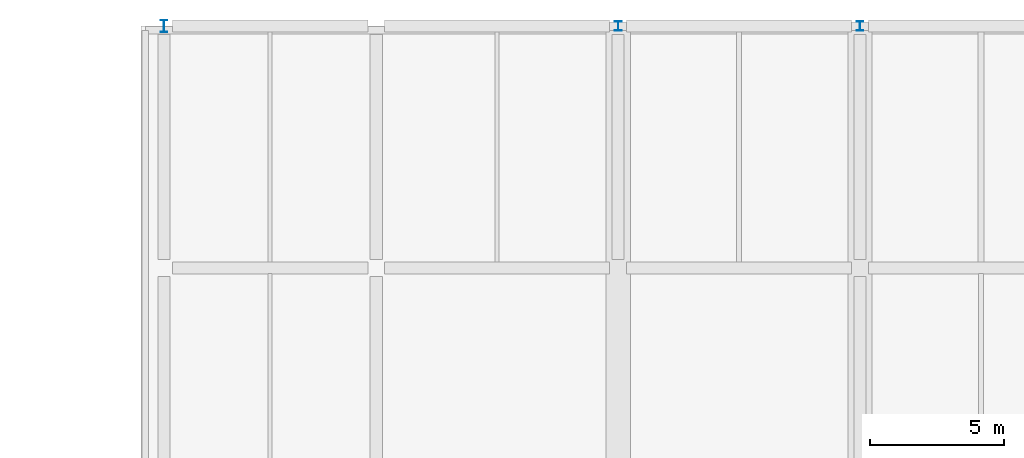
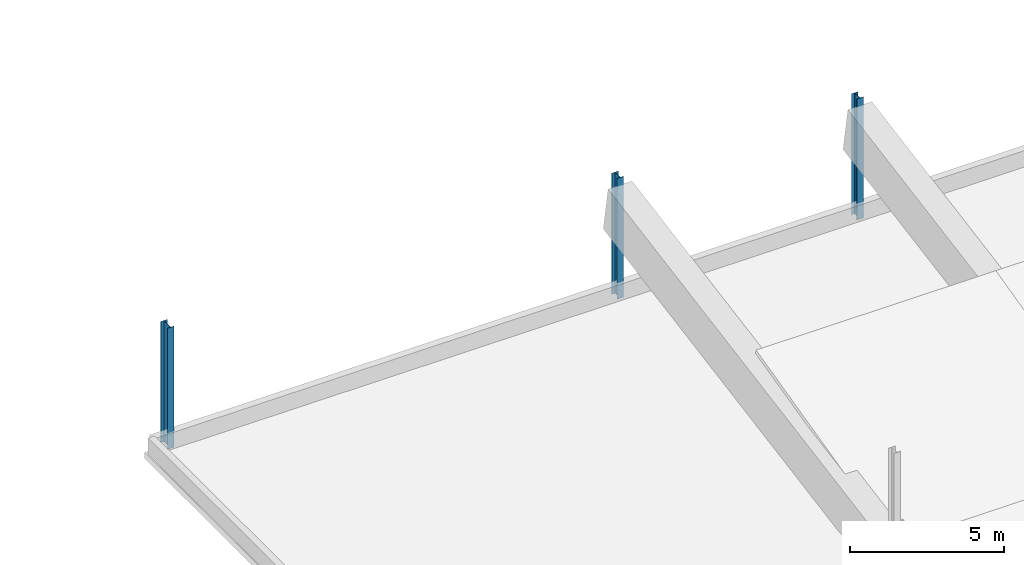
# One storey, part 16 of 66: 3 columns.
"""IFC4 building model written with IfcOpenShell, lengths in metres."""

from ifc_helpers import new_model, si_unit, direction, frame, origin, origin_2d, place, context, subcontext, project, spatial, i_section, extrude, material, material_profile, profile_set, type_object, element, save


model = new_model("IFC4")

# Units and contexts
model_context = context("Model", 3, precision=1e-05, world=origin(), true_north=direction((0.0, 1.0)))
body_context = subcontext(model_context, "Body", "Model", "MODEL_VIEW")
ifc_project = project(units=[si_unit("LENGTHUNIT", "METRE"), si_unit("AREAUNIT", "SQUARE_METRE"), si_unit("VOLUMEUNIT", "CUBIC_METRE"), si_unit("PLANEANGLEUNIT", "RADIAN"), si_unit("MASSUNIT", "GRAM", prefix="KILO"), si_unit("THERMODYNAMICTEMPERATUREUNIT", "KELVIN"), si_unit("POWERUNIT", "WATT")], contexts=[model_context])

# Site, building, storey
site_placement = place(None, origin())
site = spatial("IfcSite", under=ifc_project, at=site_placement, CompositionType="ELEMENT")
building_placement = place(site_placement, origin())
building = spatial("IfcBuilding", under=site, at=building_placement, Name="Sindhuravela Promenade Stadium", CompositionType="ELEMENT")
storey_placement = place(building_placement, frame((0.0, 0.0, 19.199951171875)))
storey = spatial("IfcBuildingStorey", under=building, at=storey_placement, Name="L04", CompositionType="ELEMENT", Elevation=19.199951171875)

# Columns
ifc_material = material(Name="Steel E350 (IS 2062 E350BR)", Category="steel")
ifc_material_profile_1 = material_profile(ifc_material, i_section(OverallWidth=0.25, OverallDepth=0.35009765625, WebThickness=0.010009765625, FlangeThickness=0.01171875, FilletRadius=0.011962890625, at=origin_2d()), Name="ISHB 350")
ifc_profile_set_1 = profile_set([ifc_material_profile_1], Name="Steel E350 (IS 2062 E350BR)")
column_type_1 = type_object("IfcColumnType", Name="ST-CL-HB350", PredefinedType="COLUMN", material=ifc_profile_set_1)
for number, where, z_axis, x_axis, name in (
    (1, (72.0, 153.0, 0.0), (0.0, 0.0, 1.0), (1.0, 0.0, 0.0), "Column SC02 NORTH L04"),
    (2, (81.0, 153.0, 0.0), (0.0, 0.0, 1.0), (1.0, 0.0, 0.0), "Column SC02 NORTH L04"),
):
    element("IfcColumn", number, at=place(storey_placement, frame(where, z_axis=z_axis, x_axis=x_axis)), inside=storey, type_object=column_type_1, Name=name, PredefinedType="COLUMN", context=body_context, shape_type="SweptSolid", body=[
        extrude(i_section(OverallWidth=0.25, OverallDepth=0.35009765625, WebThickness=0.010009765625, FlangeThickness=0.01171875, FilletRadius=0.011962890625, at=origin_2d()), origin(), (0.0, 0.0, 1.0), 4.800048828125),
    ])
ifc_material_profile_2 = material_profile(ifc_material, i_section(OverallWidth=0.25, OverallDepth=0.449951171875, WebThickness=0.01123046875, FlangeThickness=0.013671875, FilletRadius=0.014892578125, at=origin_2d()), Name="ISHB 450")
ifc_profile_set_2 = profile_set([ifc_material_profile_2], Name="Steel E350 (IS 2062 E350BR)")
column_type_2 = type_object("IfcColumnType", Name="ST-CL-HB450", PredefinedType="COLUMN", material=ifc_profile_set_2)
column_placement = place(storey_placement, frame((55.10009765625, 153.0, 0.0), z_axis=(0.0, 0.0, 1.0), x_axis=(1.0, 0.0, 0.0)))
element("IfcColumn", 3, at=column_placement, inside=storey, type_object=column_type_2, Name="Column SC03 NORTH L04", PredefinedType="COLUMN", context=body_context, shape_type="SweptSolid", body=[
    extrude(i_section(OverallWidth=0.25, OverallDepth=0.449951171875, WebThickness=0.01123046875, FlangeThickness=0.013671875, FilletRadius=0.014892578125, at=origin_2d()), origin(), (0.0, 0.0, 1.0), 4.800048828125),
])

save(model, "model.ifc")
